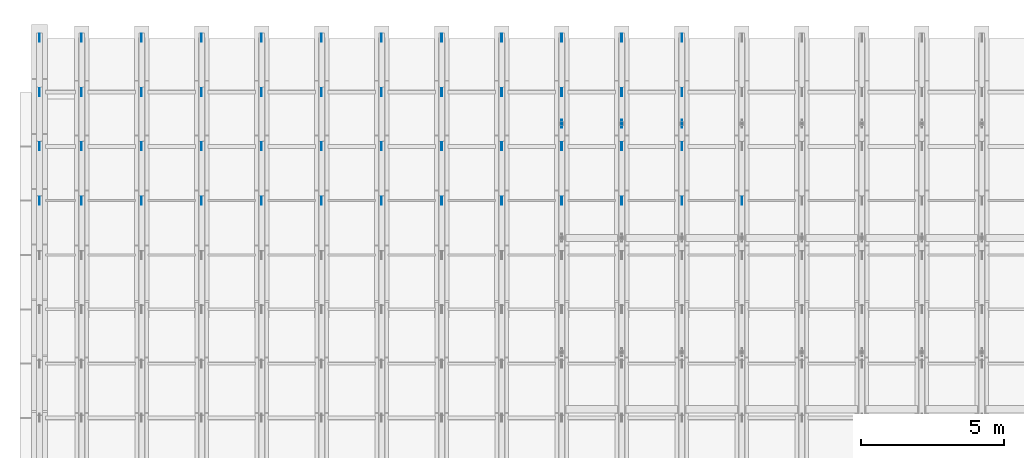
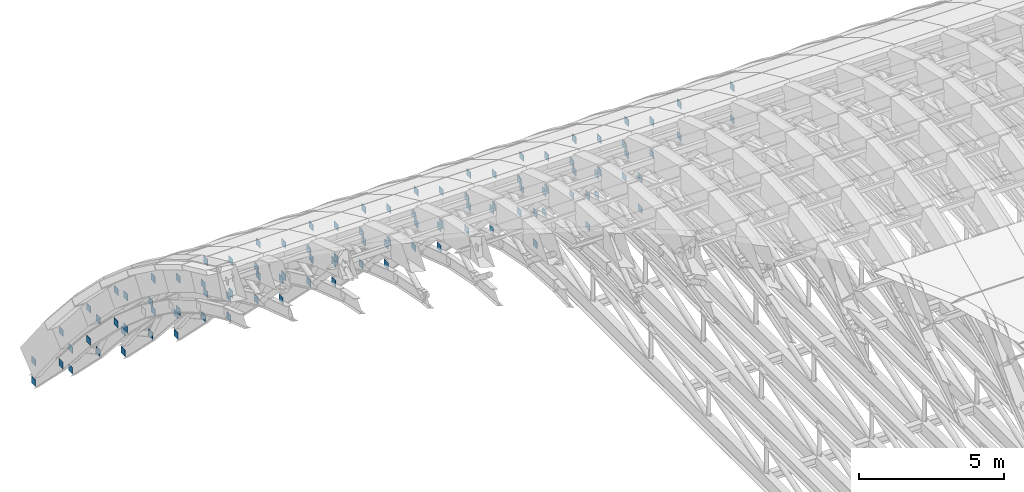
# One storey, part 64 of 67: 104 plates.
"""IFC4 building model written with IfcOpenShell, lengths in metres."""

from ifc_helpers import new_model, si_unit, direction, frame, origin, origin_2d, place, context, subcontext, project, spatial, rectangle, extrude, material, layer, layer_set, type_object, element, save


model = new_model("IFC4")

# Units and contexts
model_context = context("Model", 3, precision=1e-05, world=origin(), true_north=direction((0.0, 1.0)))
body_context = subcontext(model_context, "Body", "Model", "MODEL_VIEW")
ifc_project = project(units=[si_unit("LENGTHUNIT", "METRE"), si_unit("AREAUNIT", "SQUARE_METRE"), si_unit("VOLUMEUNIT", "CUBIC_METRE"), si_unit("PLANEANGLEUNIT", "RADIAN"), si_unit("MASSUNIT", "GRAM", prefix="KILO")], contexts=[model_context])

# Site, building, storey
site_placement = place(None, origin())
site = spatial("IfcSite", under=ifc_project, at=site_placement, CompositionType="ELEMENT")
building_placement = place(site_placement, origin())
building = spatial("IfcBuilding", under=site, at=building_placement, Name="Shengluoqiao Park Theatre", CompositionType="ELEMENT")
storey_placement = place(building_placement, frame((0.0, 0.0, 28.60009765625)))
storey = spatial("IfcBuildingStorey", under=building, at=storey_placement, Name="Roof", CompositionType="ELEMENT", Elevation=28.60009765625)

# Plates
ifc_material = material(Name="Steel Q355", Category="steel")
ifc_layer = layer(ifc_material, 0.013916015625, Name="Steel Q355")
ifc_layer_set = layer_set([ifc_layer], Name="Steel Q355")
plate_type = type_object("IfcPlateType", Name="STR-PLT-EC-280", PredefinedType="SHEET", material=ifc_layer_set)
for number, where, z_axis, x_axis, name in (
    (1, (45.02001953125, 108.300048828125, -3.73388671875), (0.0, 0.0, 1.0), (1.0, 0.0, 0.0), "Arch Truss Node Gusset Plate R01-U17"),
    (2, (45.02001953125, 108.300048828125, -5.09423828125), (0.0, 0.0, 1.0), (1.0, 0.0, 0.0), "Arch Truss Node Gusset Plate R01-L17"),
    (3, (45.02001953125, 110.199951171875, -5.6240234375), (0.0, 0.0, 1.0), (1.0, 0.0, 0.0), "Arch Truss Node Gusset Plate R01-U18"),
    (4, (45.02001953125, 110.199951171875, -6.98388671875), (0.0, 0.0, 1.0), (1.0, 0.0, 0.0), "Arch Truss Node Gusset Plate R01-L18"),
    (5, (45.02001953125, 112.10009765625, -7.76611328125), (0.0, 0.0, 1.0), (1.0, 0.0, 0.0), "Arch Truss Node Gusset Plate R01-U19"),
    (6, (45.02001953125, 112.10009765625, -9.1259765625), (0.0, 0.0, 1.0), (1.0, 0.0, 0.0), "Arch Truss Node Gusset Plate R01-L19"),
    (7, (45.02001953125, 114.0, -10.16015625), (0.0, 0.0, 1.0), (1.0, 0.0, 0.0), "Arch Truss Node Gusset Plate R01-U20"),
    (8, (45.02001953125, 114.0, -11.02001953125), (0.0, 0.0, 1.0), (1.0, 0.0, 0.0), "Arch Truss Node Gusset Plate R01-L20"),
    (9, (46.5, 108.300048828125, -3.73388671875), (0.0, 0.0, 1.0), (1.0, 0.0, 0.0), "Arch Truss Node Gusset Plate R02-U17"),
    (10, (46.5, 108.300048828125, -5.09423828125), (0.0, 0.0, 1.0), (1.0, 0.0, 0.0), "Arch Truss Node Gusset Plate R02-L17"),
    (11, (46.5, 110.199951171875, -5.6240234375), (0.0, 0.0, 1.0), (1.0, 0.0, 0.0), "Arch Truss Node Gusset Plate R02-U18"),
    (12, (46.5, 110.199951171875, -6.98388671875), (0.0, 0.0, 1.0), (1.0, 0.0, 0.0), "Arch Truss Node Gusset Plate R02-L18"),
    (13, (46.5, 112.10009765625, -7.76611328125), (0.0, 0.0, 1.0), (1.0, 0.0, 0.0), "Arch Truss Node Gusset Plate R02-U19"),
    (14, (46.5, 112.10009765625, -9.1259765625), (0.0, 0.0, 1.0), (1.0, 0.0, 0.0), "Arch Truss Node Gusset Plate R02-L19"),
    (15, (46.5, 114.0, -10.16015625), (0.0, 0.0, 1.0), (1.0, 0.0, 0.0), "Arch Truss Node Gusset Plate R02-U20"),
    (16, (46.5, 114.0, -11.02001953125), (0.0, 0.0, 1.0), (1.0, 0.0, 0.0), "Arch Truss Node Gusset Plate R02-L20"),
    (17, (48.60009765625, 108.300048828125, -3.73388671875), (0.0, 0.0, 1.0), (1.0, 0.0, 0.0), "Arch Truss Node Gusset Plate R03-U17"),
    (18, (48.60009765625, 108.300048828125, -5.09423828125), (0.0, 0.0, 1.0), (1.0, 0.0, 0.0), "Arch Truss Node Gusset Plate R03-L17"),
    (19, (48.60009765625, 110.199951171875, -5.6240234375), (0.0, 0.0, 1.0), (1.0, 0.0, 0.0), "Arch Truss Node Gusset Plate R03-U18"),
    (20, (48.60009765625, 110.199951171875, -6.98388671875), (0.0, 0.0, 1.0), (1.0, 0.0, 0.0), "Arch Truss Node Gusset Plate R03-L18"),
    (21, (48.60009765625, 112.10009765625, -7.76611328125), (0.0, 0.0, 1.0), (1.0, 0.0, 0.0), "Arch Truss Node Gusset Plate R03-U19"),
    (22, (48.60009765625, 112.10009765625, -9.1259765625), (0.0, 0.0, 1.0), (1.0, 0.0, 0.0), "Arch Truss Node Gusset Plate R03-L19"),
    (23, (48.60009765625, 114.0, -10.16015625), (0.0, 0.0, 1.0), (1.0, 0.0, 0.0), "Arch Truss Node Gusset Plate R03-U20"),
    (24, (48.60009765625, 114.0, -11.02001953125), (0.0, 0.0, 1.0), (1.0, 0.0, 0.0), "Arch Truss Node Gusset Plate R03-L20"),
    (25, (50.699951171875, 108.300048828125, -3.73388671875), (0.0, 0.0, 1.0), (1.0, 0.0, 0.0), "Arch Truss Node Gusset Plate R04-U17"),
    (26, (50.699951171875, 108.300048828125, -5.09423828125), (0.0, 0.0, 1.0), (1.0, 0.0, 0.0), "Arch Truss Node Gusset Plate R04-L17"),
    (27, (50.699951171875, 110.199951171875, -5.6240234375), (0.0, 0.0, 1.0), (1.0, 0.0, 0.0), "Arch Truss Node Gusset Plate R04-U18"),
    (28, (50.699951171875, 110.199951171875, -6.98388671875), (0.0, 0.0, 1.0), (1.0, 0.0, 0.0), "Arch Truss Node Gusset Plate R04-L18"),
    (29, (50.699951171875, 112.10009765625, -7.76611328125), (0.0, 0.0, 1.0), (1.0, 0.0, 0.0), "Arch Truss Node Gusset Plate R04-U19"),
    (30, (50.699951171875, 112.10009765625, -9.1259765625), (0.0, 0.0, 1.0), (1.0, 0.0, 0.0), "Arch Truss Node Gusset Plate R04-L19"),
    (31, (50.699951171875, 114.0, -10.16015625), (0.0, 0.0, 1.0), (1.0, 0.0, 0.0), "Arch Truss Node Gusset Plate R04-U20"),
    (32, (50.699951171875, 114.0, -11.02001953125), (0.0, 0.0, 1.0), (1.0, 0.0, 0.0), "Arch Truss Node Gusset Plate R04-L20"),
    (33, (52.800048828125, 108.300048828125, -3.73388671875), (0.0, 0.0, 1.0), (1.0, 0.0, 0.0), "Arch Truss Node Gusset Plate R05-U17"),
    (34, (52.800048828125, 108.300048828125, -5.09423828125), (0.0, 0.0, 1.0), (1.0, 0.0, 0.0), "Arch Truss Node Gusset Plate R05-L17"),
    (35, (52.800048828125, 110.199951171875, -5.6240234375), (0.0, 0.0, 1.0), (1.0, 0.0, 0.0), "Arch Truss Node Gusset Plate R05-U18"),
    (36, (52.800048828125, 110.199951171875, -6.98388671875), (0.0, 0.0, 1.0), (1.0, 0.0, 0.0), "Arch Truss Node Gusset Plate R05-L18"),
    (37, (52.800048828125, 112.10009765625, -7.76611328125), (0.0, 0.0, 1.0), (1.0, 0.0, 0.0), "Arch Truss Node Gusset Plate R05-U19"),
    (38, (52.800048828125, 112.10009765625, -9.1259765625), (0.0, 0.0, 1.0), (1.0, 0.0, 0.0), "Arch Truss Node Gusset Plate R05-L19"),
    (39, (52.800048828125, 114.0, -10.16015625), (0.0, 0.0, 1.0), (1.0, 0.0, 0.0), "Arch Truss Node Gusset Plate R05-U20"),
    (40, (52.800048828125, 114.0, -11.02001953125), (0.0, 0.0, 1.0), (1.0, 0.0, 0.0), "Arch Truss Node Gusset Plate R05-L20"),
    (41, (54.89990234375, 108.300048828125, -3.73388671875), (0.0, 0.0, 1.0), (1.0, 0.0, 0.0), "Arch Truss Node Gusset Plate R06-U17"),
    (42, (54.89990234375, 108.300048828125, -5.09423828125), (0.0, 0.0, 1.0), (1.0, 0.0, 0.0), "Arch Truss Node Gusset Plate R06-L17"),
    (43, (54.89990234375, 110.199951171875, -5.6240234375), (0.0, 0.0, 1.0), (1.0, 0.0, 0.0), "Arch Truss Node Gusset Plate R06-U18"),
    (44, (54.89990234375, 110.199951171875, -6.98388671875), (0.0, 0.0, 1.0), (1.0, 0.0, 0.0), "Arch Truss Node Gusset Plate R06-L18"),
    (45, (54.89990234375, 112.10009765625, -7.76611328125), (0.0, 0.0, 1.0), (1.0, 0.0, 0.0), "Arch Truss Node Gusset Plate R06-U19"),
    (46, (54.89990234375, 112.10009765625, -9.1259765625), (0.0, 0.0, 1.0), (1.0, 0.0, 0.0), "Arch Truss Node Gusset Plate R06-L19"),
    (47, (54.89990234375, 114.0, -10.16015625), (0.0, 0.0, 1.0), (1.0, 0.0, 0.0), "Arch Truss Node Gusset Plate R06-U20"),
    (48, (54.89990234375, 114.0, -11.02001953125), (0.0, 0.0, 1.0), (1.0, 0.0, 0.0), "Arch Truss Node Gusset Plate R06-L20"),
    (49, (57.0, 108.300048828125, -3.73388671875), (0.0, 0.0, 1.0), (1.0, 0.0, 0.0), "Arch Truss Node Gusset Plate R07-U17"),
    (50, (57.0, 108.300048828125, -5.09423828125), (0.0, 0.0, 1.0), (1.0, 0.0, 0.0), "Arch Truss Node Gusset Plate R07-L17"),
    (51, (57.0, 110.199951171875, -5.6240234375), (0.0, 0.0, 1.0), (1.0, 0.0, 0.0), "Arch Truss Node Gusset Plate R07-U18"),
    (52, (57.0, 110.199951171875, -6.98388671875), (0.0, 0.0, 1.0), (1.0, 0.0, 0.0), "Arch Truss Node Gusset Plate R07-L18"),
    (53, (57.0, 112.10009765625, -7.76611328125), (0.0, 0.0, 1.0), (1.0, 0.0, 0.0), "Arch Truss Node Gusset Plate R07-U19"),
    (54, (57.0, 112.10009765625, -9.1259765625), (0.0, 0.0, 1.0), (1.0, 0.0, 0.0), "Arch Truss Node Gusset Plate R07-L19"),
    (55, (57.0, 114.0, -10.16015625), (0.0, 0.0, 1.0), (1.0, 0.0, 0.0), "Arch Truss Node Gusset Plate R07-U20"),
    (56, (57.0, 114.0, -11.02001953125), (0.0, 0.0, 1.0), (1.0, 0.0, 0.0), "Arch Truss Node Gusset Plate R07-L20"),
    (57, (59.10009765625, 108.300048828125, -3.73388671875), (0.0, 0.0, 1.0), (1.0, 0.0, 0.0), "Arch Truss Node Gusset Plate R08-U17"),
    (58, (59.10009765625, 108.300048828125, -5.09423828125), (0.0, 0.0, 1.0), (1.0, 0.0, 0.0), "Arch Truss Node Gusset Plate R08-L17"),
    (59, (59.10009765625, 110.199951171875, -5.6240234375), (0.0, 0.0, 1.0), (1.0, 0.0, 0.0), "Arch Truss Node Gusset Plate R08-U18"),
    (60, (59.10009765625, 110.199951171875, -6.98388671875), (0.0, 0.0, 1.0), (1.0, 0.0, 0.0), "Arch Truss Node Gusset Plate R08-L18"),
    (61, (59.10009765625, 112.10009765625, -7.76611328125), (0.0, 0.0, 1.0), (1.0, 0.0, 0.0), "Arch Truss Node Gusset Plate R08-U19"),
    (62, (59.10009765625, 112.10009765625, -9.1259765625), (0.0, 0.0, 1.0), (1.0, 0.0, 0.0), "Arch Truss Node Gusset Plate R08-L19"),
    (63, (59.10009765625, 114.0, -10.16015625), (0.0, 0.0, 1.0), (1.0, 0.0, 0.0), "Arch Truss Node Gusset Plate R08-U20"),
    (64, (59.10009765625, 114.0, -11.02001953125), (0.0, 0.0, 1.0), (1.0, 0.0, 0.0), "Arch Truss Node Gusset Plate R08-L20"),
    (65, (61.199951171875, 108.300048828125, -3.73388671875), (0.0, 0.0, 1.0), (1.0, 0.0, 0.0), "Arch Truss Node Gusset Plate R09-U17"),
    (66, (61.199951171875, 108.300048828125, -5.09423828125), (0.0, 0.0, 1.0), (1.0, 0.0, 0.0), "Arch Truss Node Gusset Plate R09-L17"),
    (67, (61.199951171875, 110.199951171875, -5.6240234375), (0.0, 0.0, 1.0), (1.0, 0.0, 0.0), "Arch Truss Node Gusset Plate R09-U18"),
    (68, (61.199951171875, 110.199951171875, -6.98388671875), (0.0, 0.0, 1.0), (1.0, 0.0, 0.0), "Arch Truss Node Gusset Plate R09-L18"),
    (69, (61.199951171875, 112.10009765625, -7.76611328125), (0.0, 0.0, 1.0), (1.0, 0.0, 0.0), "Arch Truss Node Gusset Plate R09-U19"),
    (70, (61.199951171875, 112.10009765625, -9.1259765625), (0.0, 0.0, 1.0), (1.0, 0.0, 0.0), "Arch Truss Node Gusset Plate R09-L19"),
    (71, (61.199951171875, 114.0, -10.16015625), (0.0, 0.0, 1.0), (1.0, 0.0, 0.0), "Arch Truss Node Gusset Plate R09-U20"),
    (72, (61.199951171875, 114.0, -11.02001953125), (0.0, 0.0, 1.0), (1.0, 0.0, 0.0), "Arch Truss Node Gusset Plate R09-L20"),
    (73, (63.300048828125, 108.300048828125, -3.73388671875), (0.0, 0.0, 1.0), (1.0, 0.0, 0.0), "Arch Truss Node Gusset Plate R10-U17"),
    (74, (63.300048828125, 108.300048828125, -5.09423828125), (0.0, 0.0, 1.0), (1.0, 0.0, 0.0), "Arch Truss Node Gusset Plate R10-L17"),
    (75, (63.300048828125, 110.199951171875, -5.6240234375), (0.0, 0.0, 1.0), (1.0, 0.0, 0.0), "Arch Truss Node Gusset Plate R10-U18"),
    (76, (63.300048828125, 110.199951171875, -6.98388671875), (0.0, 0.0, 1.0), (1.0, 0.0, 0.0), "Arch Truss Node Gusset Plate R10-L18"),
    (77, (63.300048828125, 112.10009765625, -7.76611328125), (0.0, 0.0, 1.0), (1.0, 0.0, 0.0), "Arch Truss Node Gusset Plate R10-U19"),
    (78, (63.300048828125, 112.10009765625, -9.1259765625), (0.0, 0.0, 1.0), (1.0, 0.0, 0.0), "Arch Truss Node Gusset Plate R10-L19"),
    (79, (63.300048828125, 114.0, -10.16015625), (0.0, 0.0, 1.0), (1.0, 0.0, 0.0), "Arch Truss Node Gusset Plate R10-U20"),
    (80, (63.300048828125, 114.0, -11.02001953125), (0.0, 0.0, 1.0), (1.0, 0.0, 0.0), "Arch Truss Node Gusset Plate R10-L20"),
    (81, (65.39990234375, 108.300048828125, -3.73388671875), (0.0, 0.0, 1.0), (1.0, 0.0, 0.0), "Arch Truss Node Gusset Plate R11-U17"),
    (82, (65.39990234375, 108.300048828125, -5.09423828125), (0.0, 0.0, 1.0), (1.0, 0.0, 0.0), "Arch Truss Node Gusset Plate R11-L17"),
    (83, (65.39990234375, 110.199951171875, -5.6240234375), (0.0, 0.0, 1.0), (1.0, 0.0, 0.0), "Arch Truss Node Gusset Plate R11-U18"),
    (84, (65.39990234375, 110.199951171875, -6.98388671875), (0.0, 0.0, 1.0), (1.0, 0.0, 0.0), "Arch Truss Node Gusset Plate R11-L18"),
    (85, (65.39990234375, 112.10009765625, -7.76611328125), (0.0, 0.0, 1.0), (1.0, 0.0, 0.0), "Arch Truss Node Gusset Plate R11-U19"),
    (86, (65.39990234375, 112.10009765625, -9.1259765625), (0.0, 0.0, 1.0), (1.0, 0.0, 0.0), "Arch Truss Node Gusset Plate R11-L19"),
    (87, (65.39990234375, 114.0, -10.16015625), (0.0, 0.0, 1.0), (1.0, 0.0, 0.0), "Arch Truss Node Gusset Plate R11-U20"),
    (88, (65.39990234375, 114.0, -11.02001953125), (0.0, 0.0, 1.0), (1.0, 0.0, 0.0), "Arch Truss Node Gusset Plate R11-L20"),
    (89, (67.5, 108.300048828125, -3.73388671875), (0.0, 0.0, 1.0), (1.0, 0.0, 0.0), "Arch Truss Node Gusset Plate R12-U17"),
    (90, (67.5, 108.300048828125, -5.09423828125), (0.0, 0.0, 1.0), (1.0, 0.0, 0.0), "Arch Truss Node Gusset Plate R12-L17"),
    (91, (67.5, 110.199951171875, -5.6240234375), (0.0, 0.0, 1.0), (1.0, 0.0, 0.0), "Arch Truss Node Gusset Plate R12-U18"),
    (92, (67.5, 110.199951171875, -6.98388671875), (0.0, 0.0, 1.0), (1.0, 0.0, 0.0), "Arch Truss Node Gusset Plate R12-L18"),
    (93, (67.5, 112.10009765625, -7.76611328125), (0.0, 0.0, 1.0), (1.0, 0.0, 0.0), "Arch Truss Node Gusset Plate R12-U19"),
    (94, (67.5, 112.10009765625, -9.1259765625), (0.0, 0.0, 1.0), (1.0, 0.0, 0.0), "Arch Truss Node Gusset Plate R12-L19"),
    (95, (67.5, 114.0, -10.16015625), (0.0, 0.0, 1.0), (1.0, 0.0, 0.0), "Arch Truss Node Gusset Plate R12-U20"),
    (96, (67.5, 114.0, -11.02001953125), (0.0, 0.0, 1.0), (1.0, 0.0, 0.0), "Arch Truss Node Gusset Plate R12-L20"),
    (97, (69.60009765625, 108.300048828125, -3.73388671875), (0.0, 0.0, 1.0), (1.0, 0.0, 0.0), "Arch Truss Node Gusset Plate R13-U17"),
    (98, (69.60009765625, 108.300048828125, -5.09423828125), (0.0, 0.0, 1.0), (1.0, 0.0, 0.0), "Arch Truss Node Gusset Plate R13-L17"),
    (99, (63.300048828125, 111.0, -9.7900390625), (0.0, 0.0, 1.0), (1.0, 0.0, 0.0), "Tie Truss Node Gusset Plate R10-B08"),
    (100, (63.300048828125, 111.0, -8.490234375), (0.0, 0.0, 1.0), (1.0, 0.0, 0.0), "Tie Truss Node Gusset Plate R10-T08"),
    (101, (65.39990234375, 111.0, -9.7900390625), (0.0, 0.0, 1.0), (1.0, 0.0, 0.0), "Tie Truss Node Gusset Plate R11-B08"),
    (102, (65.39990234375, 111.0, -8.490234375), (0.0, 0.0, 1.0), (1.0, 0.0, 0.0), "Tie Truss Node Gusset Plate R11-T08"),
    (103, (67.5, 111.0, -9.7900390625), (0.0, 0.0, 1.0), (1.0, 0.0, 0.0), "Tie Truss Node Gusset Plate R12-B08"),
    (104, (67.5, 111.0, -8.490234375), (0.0, 0.0, 1.0), (1.0, 0.0, 0.0), "Tie Truss Node Gusset Plate R12-T08"),
):
    element("IfcPlate", number, at=place(storey_placement, frame(where, z_axis=z_axis, x_axis=x_axis)), inside=storey, type_object=plate_type, Name=name, PredefinedType="SHEET", context=body_context, shape_type="SweptSolid", body=[
        extrude(rectangle(XDim=0.01806640625, YDim=0.280029296875, at=origin_2d()), origin(), (0.0, 0.0, 1.0), 0.280029296875),
    ])

save(model, "model.ifc")
